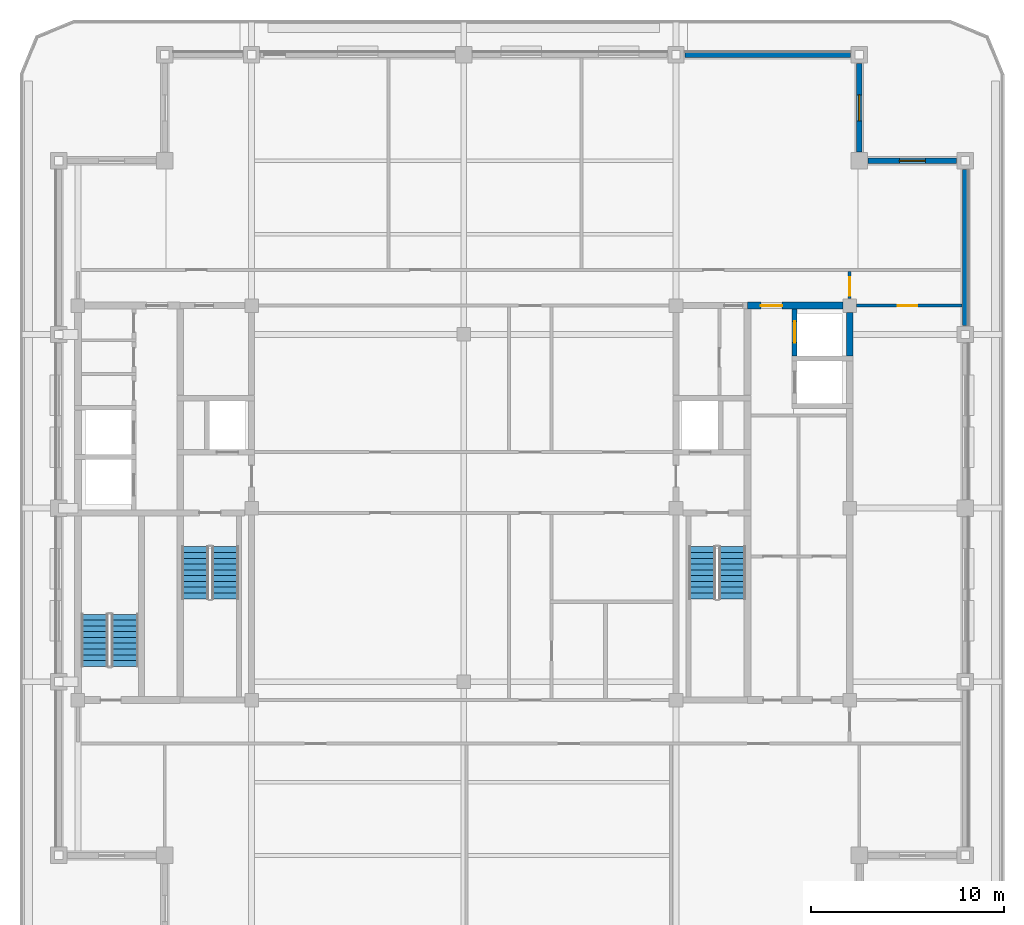
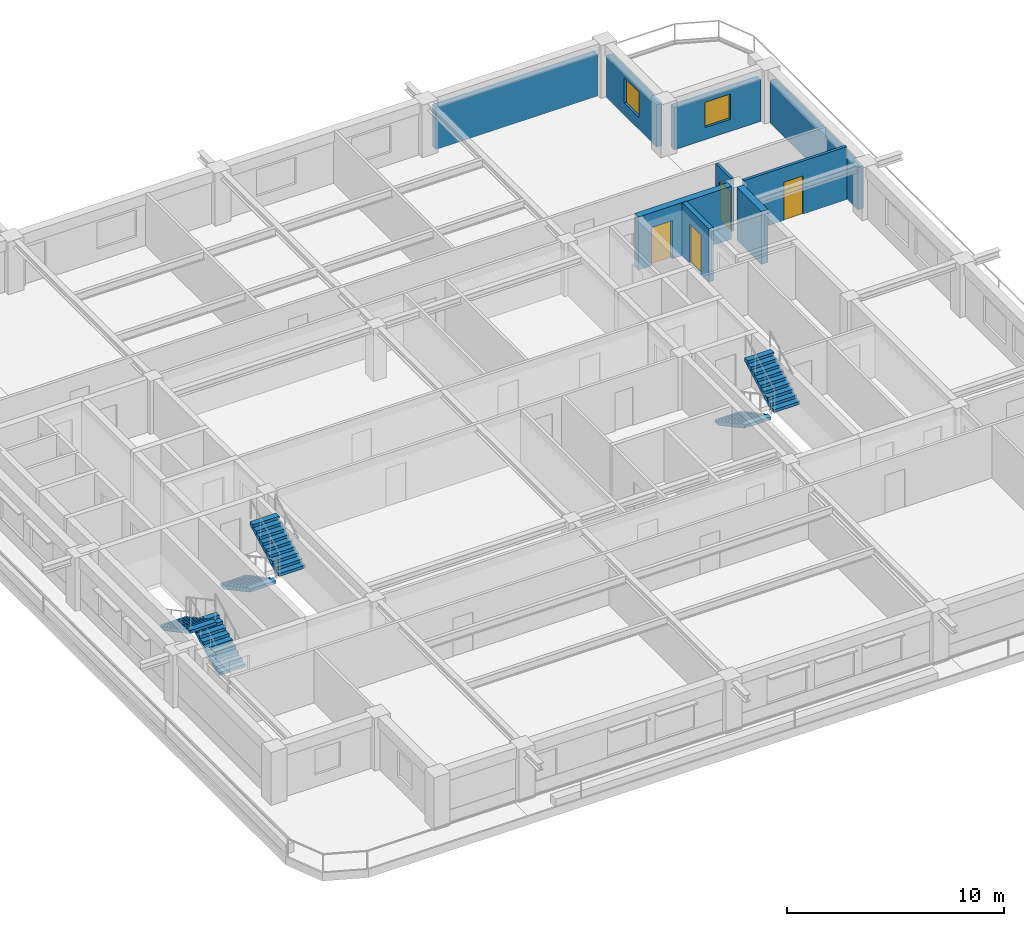
# One storey, part 6 of 11: 9 walls, 6 stair flights, 4 doors, 2 windows, 6 openings, 3 elements without a shape of their own.
"""IFC4 building model written with IfcOpenShell, lengths in metres."""

from ifc_helpers import new_model, si_unit, direction, frame, frame_2d, origin, place, context, subcontext, project, spatial, polyline, rectangle, outline, extrude, material, layer, layer_set, type_object, element, fill, aggregate, save


model = new_model("IFC4")

# Units and contexts
model_context = context("Model", 3, precision=1e-05, world=origin(), true_north=direction((0.0, 1.0)))
body_context = subcontext(model_context, "Body", "Model", "MODEL_VIEW")
ifc_project = project(units=[si_unit("LENGTHUNIT", "METRE"), si_unit("AREAUNIT", "SQUARE_METRE"), si_unit("VOLUMEUNIT", "CUBIC_METRE"), si_unit("PLANEANGLEUNIT", "RADIAN"), si_unit("MASSUNIT", "GRAM", prefix="KILO")], contexts=[model_context])

# Site, building, storey
site_placement = place(None, origin())
site = spatial("IfcSite", under=ifc_project, at=site_placement, CompositionType="ELEMENT")
building_placement = place(site_placement, origin())
building = spatial("IfcBuilding", under=site, at=building_placement, Name="Zulmaris Gate Convention Tower", CompositionType="ELEMENT")
storey_placement = place(building_placement, frame((0.0, 0.0, 242.969970703125)))
storey = spatial("IfcBuildingStorey", under=building, at=storey_placement, Name="L64", CompositionType="ELEMENT", Elevation=242.969970703125)

# Wall, opening, door
ifc_material_1 = material(Name="Concrete C50/60", Category="concrete")
ifc_layer_1 = layer(ifc_material_1, 0.25, Name="Concrete C50/60")
ifc_layer_set_1 = layer_set([ifc_layer_1], Name="Concrete C50/60")
wall_type_1 = type_object("IfcWallType", Name="CORE-250", PredefinedType="SOLIDWALL", material=ifc_layer_set_1)
wall_1_placement = place(storey_placement, frame((17.14990234375, 7.876953125, 0.0), z_axis=(0.0, 0.0, 1.0), x_axis=(0.0, 1.0, 0.0)))
wall_1 = element("IfcWall", 1, at=wall_1_placement, inside=storey, type_object=wall_type_1, Name="WL-L64-060", PredefinedType="SOLIDWALL", context=body_context, shape_type="SweptSolid", body=[
    extrude(rectangle(XDim=2.446044921875, YDim=0.25, at=frame_2d((1.22314453125, 0.0))), origin(), (0.0, 0.0, 1.0), 2.97998046875),
])
opening_1_placement = place(wall_1_placement, frame((0.697998046875, 0.0, 0.0)))
opening_1 = element("IfcOpeningElement", 2, at=opening_1_placement, cuts=wall_1, Name="Opening D-06", PredefinedType="OPENING", context=body_context, shape_type="SweptSolid", body=[
    extrude(rectangle(XDim=1.10009765625, YDim=2.199951171875, at=frame_2d((0.550048828125, 1.10009765625))), frame((0.0, 0.135009765625, 0.0), z_axis=(0.0, -1.0, 0.0), x_axis=(1.0, 0.0, 0.0)), (0.0, 0.0, 1.0), 0.27001953125),
])
ifc_material_2 = material(Name="Brushed Stainless Steel", Category="steel")
door_type_1 = type_object("IfcDoorType", Name="LD-1100", OperationType="NOTDEFINED", PredefinedType="DOOR", material=ifc_material_2)
door_1_placement = place(opening_1_placement, origin())
door_1 = element("IfcDoor", 3, at=door_1_placement, inside=storey, type_object=door_type_1, Name="L64 Lift Landing Door HP-02 18", OperationType="SLIDING_TO_RIGHT", OverallHeight=2.199951171875, OverallWidth=1.10009765625, PredefinedType="DOOR", context=body_context, shape_type="SweptSolid", body=[
    extrude(rectangle(XDim=1.10009765625, YDim=2.199951171875, at=frame_2d((0.550048828125, 1.10009765625))), frame((0.0, 0.02490234375, 0.0), z_axis=(0.0, -1.0, 0.0), x_axis=(1.0, 0.0, 0.0)), (0.0, 0.0, 1.0), 0.050048828125),
])
fill(opening_1, door_1)

ifc_material_3 = material(Name="Concrete C55/67", Category="concrete")
ifc_layer_2 = layer(ifc_material_3, 0.35009765625, Name="Concrete C55/67")
ifc_layer_set_2 = layer_set([ifc_layer_2], Name="Concrete C55/67")
wall_type_2 = type_object("IfcWallType", Name="CORE-350", PredefinedType="SHEAR", material=ifc_layer_set_2)
wall_2_placement = place(storey_placement, frame((14.699951171875, 10.5, 0.0), z_axis=(0.0, 0.0, 1.0), x_axis=(1.0, 0.0, 0.0)))
wall_2 = element("IfcWall", 4, at=wall_2_placement, inside=storey, type_object=wall_type_2, Name="WL-L64-018", PredefinedType="SHEAR", context=body_context, shape_type="SweptSolid", body=[
    extrude(rectangle(XDim=4.946044921875, YDim=0.35009765625, at=frame_2d((2.47314453125, 0.0))), origin(), (0.0, 0.0, 1.0), 2.97998046875),
])
opening_2_placement = place(wall_2_placement, frame((0.699951171875, 0.0, 0.0)))
opening_2 = element("IfcOpeningElement", 5, at=opening_2_placement, cuts=wall_2, Name="Opening D-08", PredefinedType="OPENING", context=body_context, shape_type="SweptSolid", body=[
    extrude(rectangle(XDim=1.10009765625, YDim=2.14990234375, at=frame_2d((0.550048828125, 1.074951171875))), frame((0.0, 0.18505859375, 0.0), z_axis=(0.0, -1.0, 0.0), x_axis=(1.0, 0.0, 0.0)), (0.0, 0.0, 1.0), 0.3701171875),
])
ifc_material_4 = material(Name="Fire-Rated Steel", Category="steel")
door_type_2 = type_object("IfcDoorType", Name="DR-1100-FD", OperationType="NOTDEFINED", PredefinedType="DOOR", material=ifc_material_4)
door_2_placement = place(opening_2_placement, origin())
door_2 = element("IfcDoor", 6, at=door_2_placement, inside=storey, type_object=door_type_2, Name="L64 High-Rise East Lift Lobby Door 19", OperationType="SINGLE_SWING_LEFT", OverallHeight=2.14990234375, OverallWidth=1.10009765625, PredefinedType="DOOR", context=body_context, shape_type="SweptSolid", body=[
    extrude(rectangle(XDim=1.10009765625, YDim=2.14990234375, at=frame_2d((0.550048828125, 1.074951171875))), frame((0.0, 0.02490234375, 0.0), z_axis=(0.0, -1.0, 0.0), x_axis=(1.0, 0.0, 0.0)), (0.0, 0.0, 1.0), 0.050048828125),
])
fill(opening_2, door_2)

# Wall
wall_3_placement = place(storey_placement, frame((20.0, 7.876953125, 0.0), z_axis=(0.0, 0.0, 1.0), x_axis=(0.0, 1.0, 0.0)))
element("IfcWall", 7, at=wall_3_placement, inside=storey, type_object=wall_type_2, Name="WL-L64-063", PredefinedType="SHEAR", context=body_context, shape_type="SweptSolid", body=[
    extrude(rectangle(XDim=2.26904296875, YDim=0.35009765625, at=frame_2d((1.134521484375, 0.0))), origin(), (0.0, 0.0, 1.0), 2.97998046875),
])

# Wall, opening, door
ifc_material_5 = material(Name="Gypsum Metal Stud Partition")
ifc_layer_3 = layer(ifc_material_5, 0.14990234375, Name="Gypsum Metal Stud Partition")
ifc_layer_set_3 = layer_set([ifc_layer_3], Name="Gypsum Metal Stud Partition")
wall_type_3 = type_object("IfcWallType", Name="PART-150", PredefinedType="PARTITIONING", material=ifc_layer_set_3)
wall_4_placement = place(storey_placement, frame((20.35595703125, 10.5, 0.0), z_axis=(0.0, 0.0, 1.0), x_axis=(1.0, 0.0, 0.0)))
wall_4 = element("IfcWall", 8, at=wall_4_placement, inside=storey, type_object=wall_type_3, Name="WL-L64-030", PredefinedType="PARTITIONING", context=body_context, shape_type="SweptSolid", body=[
    extrude(rectangle(XDim=5.47900390625, YDim=0.14990234375, at=frame_2d((2.739501953125, 0.0))), origin(), (0.0, 0.0, 1.0), 2.97998046875),
])
opening_3_placement = place(wall_4_placement, frame((2.14404296875, 0.0, 0.0)))
opening_3 = element("IfcOpeningElement", 9, at=opening_3_placement, cuts=wall_4, Name="Opening D-10", PredefinedType="OPENING", context=body_context, shape_type="SweptSolid", body=[
    extrude(rectangle(XDim=1.0, YDim=2.14990234375, at=frame_2d((0.5, 1.074951171875))), frame((0.0, 0.0849609375, 0.0), z_axis=(0.0, -1.0, 0.0), x_axis=(1.0, 0.0, 0.0)), (0.0, 0.0, 1.0), 0.169921875),
])
ifc_material_6 = material(Name="Fire-Rated Timber", Category="wood")
door_type_3 = type_object("IfcDoorType", Name="DR-1000-FD", OperationType="NOTDEFINED", PredefinedType="DOOR", material=ifc_material_6)
door_3_placement = place(opening_3_placement, origin())
door_3 = element("IfcDoor", 10, at=door_3_placement, inside=storey, type_object=door_type_3, Name="L64 East Workplace North Door 42", OperationType="SINGLE_SWING_RIGHT", OverallHeight=2.14990234375, OverallWidth=1.0, PredefinedType="DOOR", context=body_context, shape_type="SweptSolid", body=[
    extrude(rectangle(XDim=1.0, YDim=2.14990234375, at=frame_2d((0.5, 1.074951171875))), frame((0.0, 0.02490234375, 0.0), z_axis=(0.0, -1.0, 0.0), x_axis=(1.0, 0.0, 0.0)), (0.0, 0.0, 1.0), 0.050048828125),
])
fill(opening_3, door_3)

wall_5_placement = place(storey_placement, frame((20.0, 10.85595703125, 0.0), z_axis=(0.0, 0.0, 1.0), x_axis=(0.0, 1.0, 0.0)))
wall_5 = element("IfcWall", 11, at=wall_5_placement, inside=storey, type_object=wall_type_3, Name="WL-L64-084", PredefinedType="PARTITIONING", context=body_context, shape_type="SweptSolid", body=[
    extrude(rectangle(XDim=1.416015625, YDim=0.14990234375, at=frame_2d((0.7080078125, 0.0))), origin(), (0.0, 0.0, 1.0), 2.97998046875),
])
opening_4_placement = place(wall_5_placement, frame((0.14990234375, 0.0, 0.0)))
opening_4 = element("IfcOpeningElement", 12, at=opening_4_placement, cuts=wall_5, Name="Opening D-11", PredefinedType="OPENING", context=body_context, shape_type="SweptSolid", body=[
    extrude(rectangle(XDim=0.949951171875, YDim=2.14990234375, at=frame_2d((0.47509765625, 1.074951171875))), frame((0.0, 0.0849609375, 0.0), z_axis=(0.0, -1.0, 0.0), x_axis=(1.0, 0.0, 0.0)), (0.0, 0.0, 1.0), 0.169921875),
])
door_type_4 = type_object("IfcDoorType", Name="DR-950-FD", OperationType="NOTDEFINED", PredefinedType="DOOR", material=ifc_material_6)
door_4_placement = place(opening_4_placement, origin())
door_4 = element("IfcDoor", 13, at=door_4_placement, inside=storey, type_object=door_type_4, Name="L64 NE Spur Door 40", OperationType="SINGLE_SWING_RIGHT", OverallHeight=2.14990234375, OverallWidth=0.949951171875, PredefinedType="DOOR", context=body_context, shape_type="SweptSolid", body=[
    extrude(rectangle(XDim=0.949951171875, YDim=2.14990234375, at=frame_2d((0.47509765625, 1.074951171875))), frame((0.0, 0.02490234375, 0.0), z_axis=(0.0, -1.0, 0.0), x_axis=(1.0, 0.0, 0.0)), (0.0, 0.0, 1.0), 0.050048828125),
])
fill(opening_4, door_4)

# Wall, opening, window
ifc_material_7 = material(Name="Precast concrete C40/50", Category="concrete")
ifc_layer_4 = layer(ifc_material_7, 0.300048828125, Name="Precast concrete C40/50")
ifc_layer_set_4 = layer_set([ifc_layer_4], Name="Precast concrete C40/50")
wall_type_4 = type_object("IfcWallType", Name="PRECAST-PIER-300", PredefinedType="STANDARD", material=ifc_layer_set_4)
wall_6_placement = place(storey_placement, frame((25.544921875, 18.0, 0.0), z_axis=(0.0, 0.0, 1.0), x_axis=(-1.0, 0.0, 0.0)))
wall_6 = element("IfcWall", 14, at=wall_6_placement, inside=storey, type_object=wall_type_4, Name="EW-L64-NOTCH-NE1_0", PredefinedType="STANDARD", context=body_context, shape_type="SweptSolid", body=[
    extrude(rectangle(XDim=4.58984375, YDim=0.300048828125, at=frame_2d((2.294921875, 0.0))), origin(), (0.0, 0.0, 1.0), 2.3720703125),
])
opening_5_placement = place(wall_6_placement, frame((1.6201171875, 0.0, 0.679931640625)))
opening_5 = element("IfcOpeningElement", 15, at=opening_5_placement, cuts=wall_6, Name="Opening W-10", PredefinedType="OPENING", context=body_context, shape_type="SweptSolid", body=[
    extrude(rectangle(XDim=1.35009765625, YDim=1.419921875, at=frame_2d((0.675048828125, 0.7099609375))), frame((0.0, 0.16015625, 0.0), z_axis=(0.0, -1.0, 0.0), x_axis=(1.0, 0.0, 0.0)), (0.0, 0.0, 1.0), 0.320068359375),
])
ifc_material_8 = material(Name="Low-E Laminated Double Glazing in Aluminium Frame", Category="aluminium")
window_type = type_object("IfcWindowType", Name="WIN-1350x2000", PartitioningType="SINGLE_PANEL", PredefinedType="WINDOW", material=ifc_material_8)
window_1_placement = place(opening_5_placement, origin())
window_1 = element("IfcWindow", 16, at=window_1_placement, inside=storey, type_object=window_type, Name="WN-EW-L64-NOTCH-NE1_0", OverallHeight=1.419921875, OverallWidth=1.35009765625, PartitioningType="SINGLE_PANEL", PredefinedType="WINDOW", context=body_context, shape_type="SweptSolid", body=[
    extrude(rectangle(XDim=1.35009765625, YDim=1.419921875, at=frame_2d((0.675048828125, 0.7099609375))), frame((0.0, 0.030029296875, 0.0), z_axis=(0.0, -1.0, 0.0), x_axis=(1.0, 0.0, 0.0)), (0.0, 0.0, 1.0), 0.06005859375),
])
fill(opening_5, window_1)

wall_7_placement = place(storey_placement, frame((20.5, 18.455078125, 0.0), z_axis=(0.0, 0.0, 1.0), x_axis=(0.0, 1.0, 0.0)))
wall_7 = element("IfcWall", 17, at=wall_7_placement, inside=storey, type_object=wall_type_4, Name="EW-L64-NOTCH-NE2_0", PredefinedType="STANDARD", context=body_context, shape_type="SweptSolid", body=[
    extrude(rectangle(XDim=4.58984375, YDim=0.300048828125, at=frame_2d((2.294921875, 0.0))), origin(), (0.0, 0.0, 1.0), 2.3720703125),
])
opening_6_placement = place(wall_7_placement, frame((1.6201171875, 0.0, 0.679931640625)))
opening_6 = element("IfcOpeningElement", 18, at=opening_6_placement, cuts=wall_7, Name="Opening W-10", PredefinedType="OPENING", context=body_context, shape_type="SweptSolid", body=[
    extrude(rectangle(XDim=1.35009765625, YDim=1.419921875, at=frame_2d((0.675048828125, 0.7099609375))), frame((0.0, 0.16015625, 0.0), z_axis=(0.0, -1.0, 0.0), x_axis=(1.0, 0.0, 0.0)), (0.0, 0.0, 1.0), 0.320068359375),
])
window_2_placement = place(opening_6_placement, origin())
window_2 = element("IfcWindow", 19, at=window_2_placement, inside=storey, type_object=window_type, Name="WN-EW-L64-NOTCH-NE2_0", OverallHeight=1.419921875, OverallWidth=1.35009765625, PartitioningType="SINGLE_PANEL", PredefinedType="WINDOW", context=body_context, shape_type="SweptSolid", body=[
    extrude(rectangle(XDim=1.35009765625, YDim=1.419921875, at=frame_2d((0.675048828125, 0.7099609375))), frame((0.0, 0.030029296875, 0.0), z_axis=(0.0, -1.0, 0.0), x_axis=(1.0, 0.0, 0.0)), (0.0, 0.0, 1.0), 0.06005859375),
])
fill(opening_6, window_2)

# Walls
wall_8_placement = place(storey_placement, frame((20.044921875, 23.5, 0.0), z_axis=(0.0, 0.0, 1.0), x_axis=(-1.0, 0.0, 0.0)))
element("IfcWall", 20, at=wall_8_placement, inside=storey, type_object=wall_type_4, Name="EW-L64-N-3_0", PredefinedType="STANDARD", context=body_context, shape_type="SweptSolid", body=[
    extrude(rectangle(XDim=8.58984375, YDim=0.300048828125, at=frame_2d((4.294921875, 0.0))), origin(), (0.0, 0.0, 1.0), 2.3720703125),
])
wall_9_placement = place(storey_placement, frame((26.0, 9.455078125, 0.0), z_axis=(0.0, 0.0, 1.0), x_axis=(0.0, 1.0, 0.0)))
element("IfcWall", 21, at=wall_9_placement, inside=storey, type_object=wall_type_4, Name="EW-L64-E-3_0", PredefinedType="STANDARD", context=body_context, shape_type="SweptSolid", body=[
    extrude(rectangle(XDim=8.08984375, YDim=0.300048828125, at=frame_2d((4.044921875, 0.0))), origin(), (0.0, 0.0, 1.0), 2.3720703125),
])

# Stair, stair flights
ifc_material_9 = material(Name="Concrete C45/55", Category="concrete")
stair_type = type_object("IfcStairType", Name="ST-CORE-DOGLEG", PredefinedType="HALF_TURN_STAIR", material=ifc_material_9)
stair_1_placement = place(storey_placement, origin())
stair_1 = element("IfcStair", 22, at=stair_1_placement, inside=storey, type_object=stair_type, Name="L64 Core Exit Stair ST-1", PredefinedType="HALF_TURN_STAIR")
ifc_layer_5 = layer(ifc_material_9, 0.14990234375, Name="Concrete C45/55")
ifc_layer_set_5 = layer_set([ifc_layer_5], Name="Concrete C45/55")
stair_flight_type = type_object("IfcStairFlightType", Name="STF-RC150", PredefinedType="STRAIGHT", material=ifc_layer_set_5)
stair_flight_1_placement = place(storey_placement, frame((-13.919921875, -2.0, 0.0), z_axis=(0.0, 0.0, 1.0), x_axis=(0.0, -1.0, 0.0)))
stair_flight_1 = element("IfcStairFlight", 23, at=stair_flight_1_placement, type_object=stair_flight_type, Name="ST-1 flight 1", NumberOfRisers=10, NumberOfTreads=9, PredefinedType="STRAIGHT", RiserHeight=0.1615, TreadLength=0.3, context=body_context, shape_type="SweptSolid", body=[
    extrude(outline(polyline([(0.0, 0.0), (0.0, 0.16162109375), (0.300048828125, 0.16162109375), (0.300048828125, 0.322998046875), (0.60009765625, 0.322998046875), (0.60009765625, 0.484619140625), (0.89990234375, 0.484619140625), (0.89990234375, 0.64599609375), (1.199951171875, 0.64599609375), (1.199951171875, 0.8076171875), (1.5, 0.8076171875), (1.5, 0.968994140625), (1.800048828125, 0.968994140625), (1.800048828125, 1.130615234375), (2.10009765625, 1.130615234375), (2.10009765625, 1.2919921875), (2.39990234375, 1.2919921875), (2.39990234375, 1.45361328125), (2.699951171875, 1.45361328125), (2.699951171875, 1.614990234375), (2.699951171875, 1.283203125), (0.316162109375, 0.0), (0.0, 0.0)])), frame((0.0, 0.699951171875, 0.0), z_axis=(0.0, -1.0, 0.0), x_axis=(1.0, 0.0, 0.0)), (0.0, 0.0, 1.0), 1.39990234375),
])
stair_flight_2_placement = place(storey_placement, frame((-12.360107421875, -4.699951171875, 1.614990234375), z_axis=(0.0, 0.0, 1.0), x_axis=(0.0, 1.0, 0.0)))
stair_flight_2 = element("IfcStairFlight", 24, at=stair_flight_2_placement, type_object=stair_flight_type, Name="ST-1 flight 2", NumberOfRisers=10, NumberOfTreads=9, PredefinedType="STRAIGHT", RiserHeight=0.1615, TreadLength=0.3, context=body_context, shape_type="SweptSolid", body=[
    extrude(outline(polyline([(0.0, 0.0), (0.0, 0.16162109375), (0.300048828125, 0.16162109375), (0.300048828125, 0.322998046875), (0.60009765625, 0.322998046875), (0.60009765625, 0.484619140625), (0.89990234375, 0.484619140625), (0.89990234375, 0.64599609375), (1.199951171875, 0.64599609375), (1.199951171875, 0.8076171875), (1.5, 0.8076171875), (1.5, 0.968994140625), (1.800048828125, 0.968994140625), (1.800048828125, 1.130615234375), (2.10009765625, 1.130615234375), (2.10009765625, 1.2919921875), (2.39990234375, 1.2919921875), (2.39990234375, 1.45361328125), (2.699951171875, 1.45361328125), (2.699951171875, 1.614990234375), (2.699951171875, 1.283203125), (0.316162109375, 0.0), (0.0, 0.0)])), frame((0.0, 0.699951171875, 0.0), z_axis=(0.0, -1.0, 0.0), x_axis=(1.0, 0.0, 0.0)), (0.0, 0.0, 1.0), 1.39990234375),
])
aggregate(stair_1, [stair_flight_1, stair_flight_2])

stair_2_placement = place(storey_placement, origin())
stair_2 = element("IfcStair", 25, at=stair_2_placement, inside=storey, type_object=stair_type, Name="L64 Core Exit Stair ST-2", PredefinedType="HALF_TURN_STAIR")
stair_flight_3_placement = place(storey_placement, frame((12.360107421875, -2.0, 0.0), z_axis=(0.0, 0.0, 1.0), x_axis=(0.0, -1.0, 0.0)))
stair_flight_3 = element("IfcStairFlight", 26, at=stair_flight_3_placement, type_object=stair_flight_type, Name="ST-2 flight 1", NumberOfRisers=10, NumberOfTreads=9, PredefinedType="STRAIGHT", RiserHeight=0.1615, TreadLength=0.3, context=body_context, shape_type="SweptSolid", body=[
    extrude(outline(polyline([(0.0, 0.0), (0.0, 0.16162109375), (0.300048828125, 0.16162109375), (0.300048828125, 0.322998046875), (0.60009765625, 0.322998046875), (0.60009765625, 0.484619140625), (0.89990234375, 0.484619140625), (0.89990234375, 0.64599609375), (1.199951171875, 0.64599609375), (1.199951171875, 0.8076171875), (1.5, 0.8076171875), (1.5, 0.968994140625), (1.800048828125, 0.968994140625), (1.800048828125, 1.130615234375), (2.10009765625, 1.130615234375), (2.10009765625, 1.2919921875), (2.39990234375, 1.2919921875), (2.39990234375, 1.45361328125), (2.699951171875, 1.45361328125), (2.699951171875, 1.614990234375), (2.699951171875, 1.283203125), (0.316162109375, 0.0), (0.0, 0.0)])), frame((0.0, 0.699951171875, 0.0), z_axis=(0.0, -1.0, 0.0), x_axis=(1.0, 0.0, 0.0)), (0.0, 0.0, 1.0), 1.39990234375),
])
stair_flight_4_placement = place(storey_placement, frame((13.919921875, -4.699951171875, 1.614990234375), z_axis=(0.0, 0.0, 1.0), x_axis=(0.0, 1.0, 0.0)))
stair_flight_4 = element("IfcStairFlight", 27, at=stair_flight_4_placement, type_object=stair_flight_type, Name="ST-2 flight 2", NumberOfRisers=10, NumberOfTreads=9, PredefinedType="STRAIGHT", RiserHeight=0.1615, TreadLength=0.3, context=body_context, shape_type="SweptSolid", body=[
    extrude(outline(polyline([(0.0, 0.0), (0.0, 0.16162109375), (0.300048828125, 0.16162109375), (0.300048828125, 0.322998046875), (0.60009765625, 0.322998046875), (0.60009765625, 0.484619140625), (0.89990234375, 0.484619140625), (0.89990234375, 0.64599609375), (1.199951171875, 0.64599609375), (1.199951171875, 0.8076171875), (1.5, 0.8076171875), (1.5, 0.968994140625), (1.800048828125, 0.968994140625), (1.800048828125, 1.130615234375), (2.10009765625, 1.130615234375), (2.10009765625, 1.2919921875), (2.39990234375, 1.2919921875), (2.39990234375, 1.45361328125), (2.699951171875, 1.45361328125), (2.699951171875, 1.614990234375), (2.699951171875, 1.283203125), (0.316162109375, 0.0), (0.0, 0.0)])), frame((0.0, 0.699951171875, 0.0), z_axis=(0.0, -1.0, 0.0), x_axis=(1.0, 0.0, 0.0)), (0.0, 0.0, 1.0), 1.39990234375),
])
aggregate(stair_2, [stair_flight_3, stair_flight_4])

stair_3_placement = place(storey_placement, origin())
stair_3 = element("IfcStair", 28, at=stair_3_placement, inside=storey, type_object=stair_type, Name="L64 Core Exit Stair ST-3", PredefinedType="HALF_TURN_STAIR")
stair_flight_5_placement = place(storey_placement, frame((-17.56005859375, -8.199951171875, 0.0), z_axis=(0.0, 0.0, 1.0), x_axis=(0.0, 1.0, 0.0)))
stair_flight_5 = element("IfcStairFlight", 29, at=stair_flight_5_placement, type_object=stair_flight_type, Name="ST-3 flight 1", NumberOfRisers=10, NumberOfTreads=9, PredefinedType="STRAIGHT", RiserHeight=0.1615, TreadLength=0.3, context=body_context, shape_type="SweptSolid", body=[
    extrude(outline(polyline([(0.0, 0.0), (0.0, 0.16162109375), (0.300048828125, 0.16162109375), (0.300048828125, 0.322998046875), (0.60009765625, 0.322998046875), (0.60009765625, 0.484619140625), (0.89990234375, 0.484619140625), (0.89990234375, 0.64599609375), (1.199951171875, 0.64599609375), (1.199951171875, 0.8076171875), (1.5, 0.8076171875), (1.5, 0.968994140625), (1.800048828125, 0.968994140625), (1.800048828125, 1.130615234375), (2.10009765625, 1.130615234375), (2.10009765625, 1.2919921875), (2.39990234375, 1.2919921875), (2.39990234375, 1.45361328125), (2.699951171875, 1.45361328125), (2.699951171875, 1.614990234375), (2.699951171875, 1.283203125), (0.316162109375, 0.0), (0.0, 0.0)])), frame((0.0, 0.699951171875, 0.0), z_axis=(0.0, -1.0, 0.0), x_axis=(1.0, 0.0, 0.0)), (0.0, 0.0, 1.0), 1.39990234375),
])
stair_flight_6_placement = place(storey_placement, frame((-19.1201171875, -5.5, 1.614990234375), z_axis=(0.0, 0.0, 1.0), x_axis=(0.0, -1.0, 0.0)))
stair_flight_6 = element("IfcStairFlight", 30, at=stair_flight_6_placement, type_object=stair_flight_type, Name="ST-3 flight 2", NumberOfRisers=10, NumberOfTreads=9, PredefinedType="STRAIGHT", RiserHeight=0.1615, TreadLength=0.3, context=body_context, shape_type="SweptSolid", body=[
    extrude(outline(polyline([(0.0, 0.0), (0.0, 0.16162109375), (0.300048828125, 0.16162109375), (0.300048828125, 0.322998046875), (0.60009765625, 0.322998046875), (0.60009765625, 0.484619140625), (0.89990234375, 0.484619140625), (0.89990234375, 0.64599609375), (1.199951171875, 0.64599609375), (1.199951171875, 0.8076171875), (1.5, 0.8076171875), (1.5, 0.968994140625), (1.800048828125, 0.968994140625), (1.800048828125, 1.130615234375), (2.10009765625, 1.130615234375), (2.10009765625, 1.2919921875), (2.39990234375, 1.2919921875), (2.39990234375, 1.45361328125), (2.699951171875, 1.45361328125), (2.699951171875, 1.614990234375), (2.699951171875, 1.283203125), (0.316162109375, 0.0), (0.0, 0.0)])), frame((0.0, 0.699951171875, 0.0), z_axis=(0.0, -1.0, 0.0), x_axis=(1.0, 0.0, 0.0)), (0.0, 0.0, 1.0), 1.39990234375),
])
aggregate(stair_3, [stair_flight_5, stair_flight_6])

save(model, "model.ifc")
